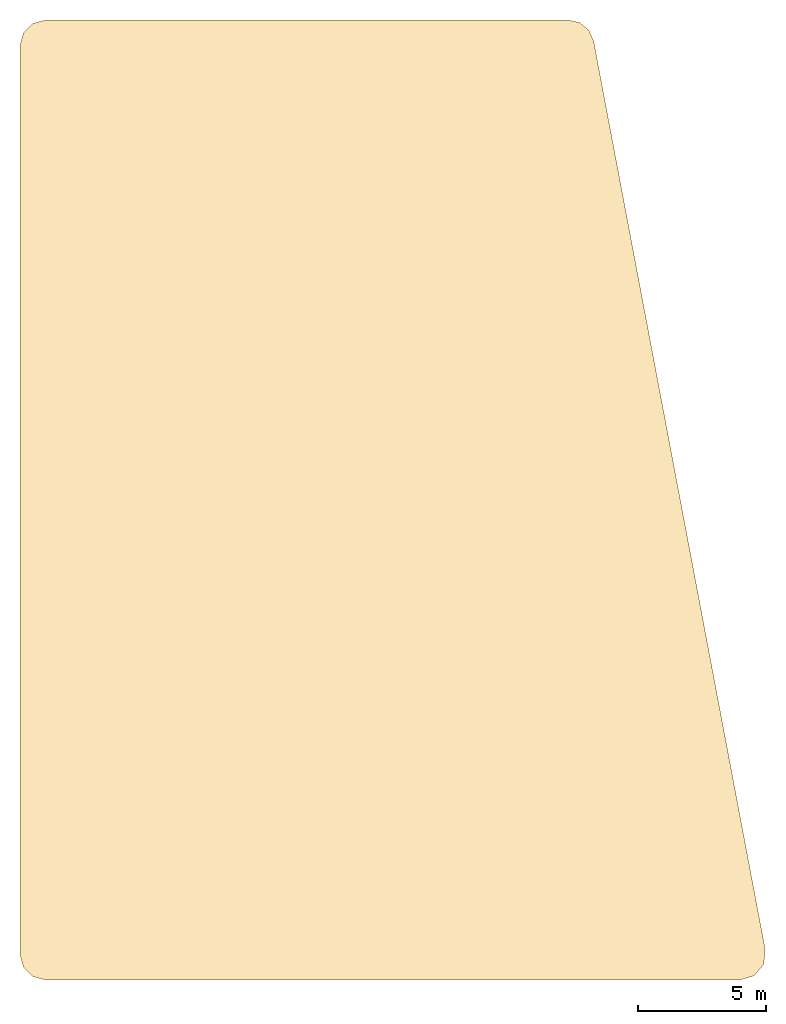
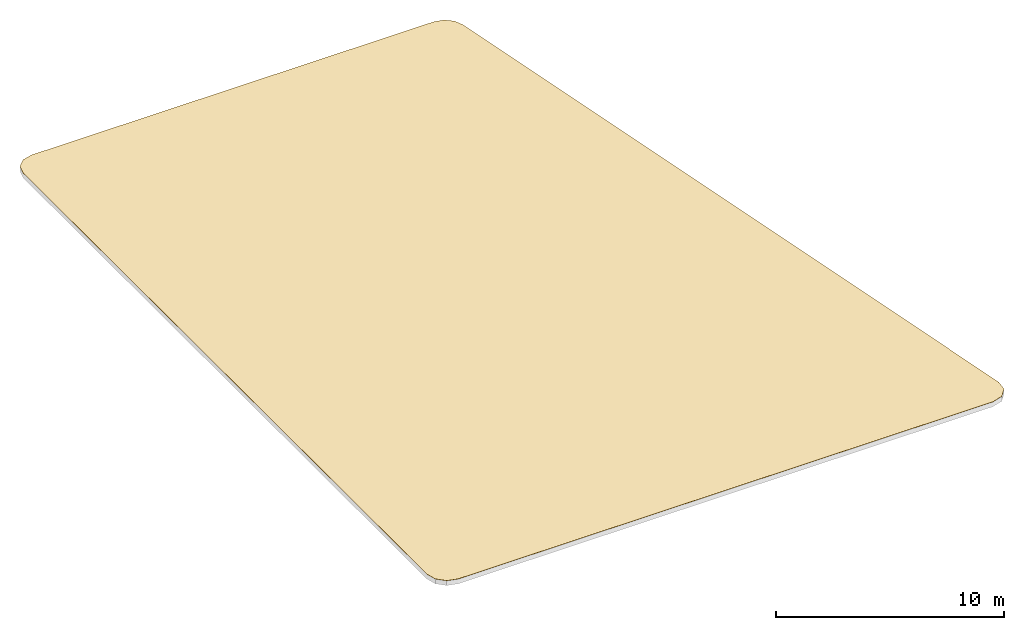
# One storey, part 2 of 2: 1 covering.
"""IFC4 building model written with IfcOpenShell, lengths in metres."""

from ifc_helpers import new_model, si_unit, direction, frame, origin, place, context, subcontext, project, spatial, polyline, outline, extrude, material, layer, layer_set, type_object, element, save


model = new_model("IFC4")

# Units and contexts
model_context = context("Model", 3, precision=1e-05, world=origin(), true_north=direction((0.0, 1.0)))
body_context = subcontext(model_context, "Body", "Model", "MODEL_VIEW")
ifc_project = project(units=[si_unit("LENGTHUNIT", "METRE"), si_unit("AREAUNIT", "SQUARE_METRE"), si_unit("VOLUMEUNIT", "CUBIC_METRE"), si_unit("PLANEANGLEUNIT", "RADIAN"), si_unit("MASSUNIT", "GRAM", prefix="KILO")], contexts=[model_context])

# Site, building, storey
site_placement = place(None, origin())
site = spatial("IfcSite", under=ifc_project, at=site_placement, CompositionType="ELEMENT")
building_placement = place(site_placement, origin())
building = spatial("IfcBuilding", under=site, at=building_placement, Name="Sheger Commons Tower", CompositionType="ELEMENT")
storey_placement = place(building_placement, frame((0.0, 0.0, 307.199951171875)))
storey = spatial("IfcBuildingStorey", under=building, at=storey_placement, Name="ROOF", CompositionType="ELEMENT", Elevation=307.199951171875)

# Covering
ifc_material = material(Name="Reinforced bituminous roofing membrane, two layers", Category="concrete")
ifc_layer = layer(ifc_material, 0.010009765625)
ifc_layer_set = layer_set([ifc_layer], Name="ROOF MEMBRANE 10")
covering_type = type_object("IfcCoveringType", Name="ROOF MEMBRANE 10", PredefinedType="ROOFING", material=ifc_layer_set)
covering_placement = place(storey_placement, origin())
element("IfcCovering", 1, at=covering_placement, inside=storey, type_object=covering_type, Name="Lantern roof roof membrane", PredefinedType="ROOFING", context=body_context, shape_type="SweptSolid", body=[
    extrude(outline(polyline([(21.75, 6.64990234375), (48.802001953125, 6.64990234375), (49.35498046875, 6.81689453125), (49.72412109375, 7.260986328125), (49.784912109375, 7.8359375), (43.097900390625, 43.236083984375), (42.912109375, 43.654052734375), (42.56005859375, 43.945068359375), (42.114990234375, 44.050048828125), (21.75, 44.050048828125), (21.25, 43.916015625), (20.884033203125, 43.550048828125), (20.75, 43.050048828125), (20.75, 7.64990234375), (20.884033203125, 7.14990234375), (21.25, 6.783935546875), (21.75, 6.64990234375)])), origin(), (0.0, 0.0, 1.0), 0.010009765625),
])

save(model, "model.ifc")
